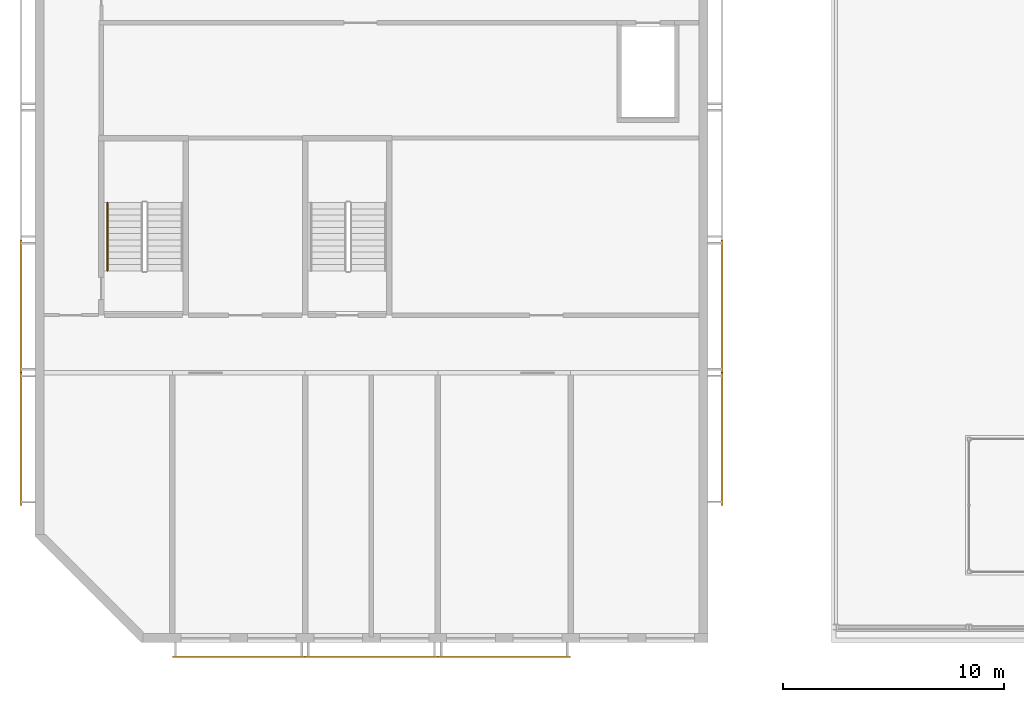
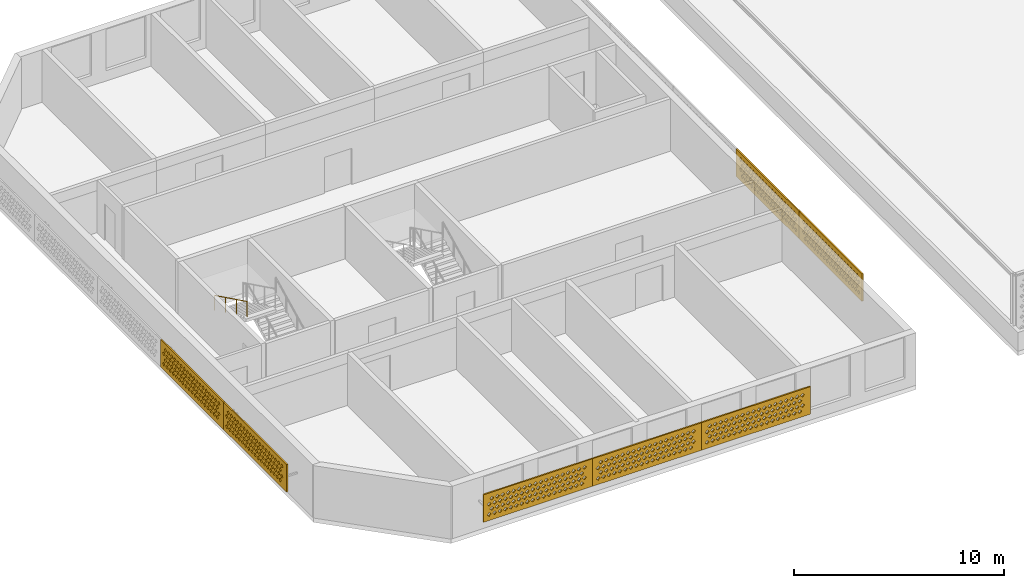
# One storey, part 11 of 18: 7 coverings, 1 railing.
"""IFC4 building model written with IfcOpenShell, lengths in metres."""

import ifcopenshell
import ifcopenshell.guid

model = None  # the IFC model being written
_history = None  # IfcOwnerHistory: only IFC2X3 demands one
_inside = {}  # id of a spatial element -> (the spatial element, [elements in it])
_under = {}  # id of a project, library or spatial element -> (it, [spatial elements below it])
_declared = {}  # id of a project -> (the project, [libraries it declares])
_typed = {}  # id of a type object -> (the type object, [elements of that type])
_made_of = {}  # id of a material, layer set ... -> (it, [elements and type objects made of it])


def new_model(schema):
    """Start an empty IFC model of exactly this schema.

    Asked for "IFC4X3", IfcOpenShell would pick the latest addendum, in which some entities
    have other attributes; the version numbers below select the first issue.
    IFC2X3 requires an IfcOwnerHistory on every rooted entity: one is made here for all.
    """
    global model, _history
    if schema == "IFC4X3":
        model = ifcopenshell.file(schema_version=(4, 3, 0, 0))
    else:
        model = ifcopenshell.file(schema=schema)
    _inside.clear()
    _under.clear()
    _declared.clear()
    _typed.clear()
    _made_of.clear()
    _history = None
    if model.schema == "IFC2X3":
        org = make("IfcOrganization", Name="unknown")
        user = make(
            "IfcPersonAndOrganization",
            ThePerson=make("IfcPerson", FamilyName="unknown"),
            TheOrganization=org,
        )
        app = make(
            "IfcApplication",
            ApplicationDeveloper=org,
            Version="unknown",
            ApplicationFullName="unknown",
            ApplicationIdentifier="unknown",
        )
        _history = make(
            "IfcOwnerHistory",
            OwningUser=user,
            OwningApplication=app,
            ChangeAction="ADDED",
            CreationDate=0,
        )
    return model


def make(cls, **values):
    """One entity of the class cls with the attributes given. An attribute that is None is left unset."""
    return model.create_entity(
        cls, **{name: value for name, value in values.items() if value is not None}
    )


def rooted(cls, **values):
    """An entity with a GlobalId (a new one), such as an element, a storey or a relation."""
    return make(cls, GlobalId=ifcopenshell.guid.new(), OwnerHistory=_history, **values)


def si_unit(unit_type, name, prefix=None):
    """IfcSIUnit, for example si_unit("LENGTHUNIT", "METRE", prefix="MILLI")."""
    return make("IfcSIUnit", UnitType=unit_type, Prefix=prefix, Name=name)


def assignment(units):
    """IfcUnitAssignment: the units of a project."""
    return None if units is None else make("IfcUnitAssignment", Units=units)


def point(xyz):
    """IfcCartesianPoint."""
    return None if xyz is None else make("IfcCartesianPoint", Coordinates=xyz)


def direction(xyz):
    """IfcDirection."""
    return None if xyz is None else make("IfcDirection", DirectionRatios=xyz)


def frame(location, z_axis=None, x_axis=None):
    """IfcAxis2Placement3D, a coordinate frame: its origin and axes. An axis left out is left unset."""
    return make(
        "IfcAxis2Placement3D",
        Location=point(location),
        Axis=direction(z_axis),
        RefDirection=direction(x_axis),
    )


def frame_2d(location, x_axis=None):
    """IfcAxis2Placement2D, a coordinate frame in the plane: its origin and x axis."""
    return make(
        "IfcAxis2Placement2D", Location=point(location), RefDirection=direction(x_axis)
    )


def origin():
    """The frame at (0, 0, 0) with its axes left unset."""
    return frame((0.0, 0.0, 0.0))


def origin_2d():
    """The frame at (0, 0) in the plane with its x axis left unset."""
    return frame_2d((0.0, 0.0))


def place(relative_to, where):
    """IfcLocalPlacement: puts the frame where relative to a parent placement (None: the world)."""
    return make(
        "IfcLocalPlacement", PlacementRelTo=relative_to, RelativePlacement=where
    )


def context(
    kind, dimensions, precision=None, world=None, true_north=None, identifier=None
):
    """IfcGeometricRepresentationContext, for example the 3D "Model" context."""
    return make(
        "IfcGeometricRepresentationContext",
        ContextIdentifier=identifier,
        ContextType=kind,
        CoordinateSpaceDimension=dimensions,
        Precision=precision,
        WorldCoordinateSystem=world,
        TrueNorth=true_north,
    )


def subcontext(parent, identifier, kind, view, scale=None):
    """IfcGeometricRepresentationSubContext, for example "Body" below "Model"."""
    return make(
        "IfcGeometricRepresentationSubContext",
        ContextIdentifier=identifier,
        ContextType=kind,
        ParentContext=parent,
        TargetScale=scale,
        TargetView=view,
    )


def project(units=None, contexts=None):
    """IfcProject with its units and contexts."""
    return rooted(
        "IfcProject",
        Name="project",
        RepresentationContexts=contexts,
        UnitsInContext=assignment(units),
    )


def spatial(cls, under=None, at=None, **own):
    """A site, building, storey or space (cls), placed at a placement, below another one or the project."""
    s = rooted(cls, ObjectPlacement=at, **own)
    if under is not None:
        _under.setdefault(under.id(), (under, []))[1].append(s)
    return s


def polyline(points):
    """IfcPolyline through the points."""
    return make("IfcPolyline", Points=[point(p) for p in points])


def profile(cls, at=None, kind="AREA", **sizes):
    """A parametric profile (cls). Its sizes go by their IFC names, for example OverallWidth=200.0."""
    return make(cls, ProfileType=kind, Position=at, **sizes)


def circle(**sizes):
    """IfcCircleProfileDef."""
    return profile("IfcCircleProfileDef", **sizes)


def outline(outer, holes=None, kind="AREA"):
    """IfcArbitraryClosedProfileDef: a profile drawn as a closed curve; with holes, ...WithVoids."""
    if holes is None:
        return make("IfcArbitraryClosedProfileDef", ProfileType=kind, OuterCurve=outer)
    return make(
        "IfcArbitraryProfileDefWithVoids",
        ProfileType=kind,
        OuterCurve=outer,
        InnerCurves=holes,
    )


def extrude(swept, where, along, depth):
    """IfcExtrudedAreaSolid: the profile swept, set in the frame where, extruded along a direction by depth."""
    return make(
        "IfcExtrudedAreaSolid",
        SweptArea=swept,
        Position=where,
        ExtrudedDirection=direction(along),
        Depth=depth,
    )


def shape(context_of_items, identifier, shape_type, items):
    """IfcShapeRepresentation: the items that make up one representation, for example the "Body"."""
    return make(
        "IfcShapeRepresentation",
        ContextOfItems=context_of_items,
        RepresentationIdentifier=identifier,
        RepresentationType=shape_type,
        Items=items,
    )


def source(mapping_origin, context_of_items, identifier, shape_type, items):
    """IfcRepresentationMap: a shape defined once, which mapped items show again and again."""
    return make(
        "IfcRepresentationMap",
        MappingOrigin=mapping_origin,
        MappedRepresentation=shape(context_of_items, identifier, shape_type, items),
    )


def transform(
    local_origin,
    x_axis=None,
    y_axis=None,
    z_axis=None,
    scale=None,
    scale2=None,
    scale3=None,
    uniform=True,
):
    """IfcCartesianTransformationOperator3D, or its non-uniform kind. x_axis, y_axis, z_axis: its Axis1, 2, 3."""
    if uniform:
        return make(
            "IfcCartesianTransformationOperator3D",
            Axis1=direction(x_axis),
            Axis2=direction(y_axis),
            LocalOrigin=point(local_origin),
            Scale=scale,
            Axis3=direction(z_axis),
        )
    return make(
        "IfcCartesianTransformationOperator3DnonUniform",
        Axis1=direction(x_axis),
        Axis2=direction(y_axis),
        LocalOrigin=point(local_origin),
        Scale=scale,
        Axis3=direction(z_axis),
        Scale2=scale2,
        Scale3=scale3,
    )


def mapped(mapping_source, mapping_target):
    """IfcMappedItem: shows the shape of a source again, moved by a transform."""
    return make(
        "IfcMappedItem", MappingSource=mapping_source, MappingTarget=mapping_target
    )


def material(Name=None, Category=None):
    """IfcMaterial."""
    return make("IfcMaterial", Name=Name, Category=Category)


def material_profile(
    of_material, cross_section, Name=None, Category=None, Priority=None
):
    """IfcMaterialProfile: a cross section and its material."""
    return make(
        "IfcMaterialProfile",
        Name=Name,
        Material=of_material,
        Profile=cross_section,
        Priority=Priority,
        Category=Category,
    )


def profile_set(profiles, Name=None, composite=None):
    """IfcMaterialProfileSet."""
    return make(
        "IfcMaterialProfileSet",
        Name=Name,
        MaterialProfiles=profiles,
        CompositeProfile=composite,
    )


def made_of(thing, what):
    """Note that an element or type object is made of a material, layer set ...; save() writes the relation."""
    if what is not None:
        _made_of.setdefault(what.id(), (what, []))[1].append(thing)
    return thing


def type_object(cls, material=None, **own):
    """A type object (cls), such as IfcWallType, which elements share."""
    return made_of(rooted(cls, **own), material)


def element(
    cls,
    number,
    at=None,
    inside=None,
    cuts=None,
    type_object=None,
    material=None,
    context=None,
    identifier="Body",
    shape_type=None,
    held_by="IfcProductDefinitionShape",
    body=None,
    shapes=None,
    **own,
):
    """One element of the class cls, such as IfcWall. Its Tag is "e" and its number.

    at: its placement. inside: the storey or other place that contains it. cuts: it is an
    opening in that element (IfcRelVoidsElement). A single representation is given by context,
    identifier, shape_type and body (its items); several are given by shapes. held_by: the class
    of the entity that holds the representations. save() writes the other relations.
    """
    e = rooted(cls, Tag="e%d" % number, ObjectPlacement=at, **own)
    if body is not None:
        shapes = [shape(context, identifier, shape_type, body)]
    if shapes is not None:
        e.Representation = make(held_by, Representations=shapes)
    if inside is not None:
        _inside.setdefault(inside.id(), (inside, []))[1].append(e)
    if cuts is not None:
        rooted(
            "IfcRelVoidsElement", RelatingBuildingElement=cuts, RelatedOpeningElement=e
        )
    if type_object is not None:
        _typed.setdefault(type_object.id(), (type_object, []))[1].append(e)
    return made_of(e, material)


def aggregate(whole, parts):
    """IfcRelAggregates: a whole, such as a stair, and the parts it consists of."""
    return rooted("IfcRelAggregates", RelatingObject=whole, RelatedObjects=parts)


def save(model, path):
    """Write the relations noted so far, then the file.

    IfcRelAggregates (storeys below a building ...), IfcRelContainedInSpatialStructure (elements
    in a storey), IfcRelDefinesByType, IfcRelAssociatesMaterial and IfcRelDeclares: one each for
    every whole, place, type object, material and project.
    """
    for whole, parts in _under.values():
        aggregate(whole, parts)
    for where, things in _inside.values():
        rooted(
            "IfcRelContainedInSpatialStructure",
            RelatedElements=things,
            RelatingStructure=where,
        )
    for kind, things in _typed.values():
        rooted("IfcRelDefinesByType", RelatedObjects=things, RelatingType=kind)
    for what, things in _made_of.values():
        rooted("IfcRelAssociatesMaterial", RelatedObjects=things, RelatingMaterial=what)
    for by, libraries in _declared.values():
        rooted("IfcRelDeclares", RelatingContext=by, RelatedDefinitions=libraries)
    model.write(path)


model = new_model("IFC4")

# Units and contexts
model_context = context("Model", 3, precision=1e-05, world=origin(), true_north=direction((0.0, 1.0)))
body_context = subcontext(model_context, "Body", "Model", "MODEL_VIEW")
ifc_project = project(units=[si_unit("LENGTHUNIT", "METRE"), si_unit("AREAUNIT", "SQUARE_METRE"), si_unit("VOLUMEUNIT", "CUBIC_METRE"), si_unit("PLANEANGLEUNIT", "RADIAN"), si_unit("MASSUNIT", "GRAM", prefix="KILO")], contexts=[model_context])

# Site, building, storey
site_placement = place(None, origin())
site = spatial("IfcSite", under=ifc_project, at=site_placement, CompositionType="ELEMENT")
building_placement = place(site_placement, origin())
building = spatial("IfcBuilding", under=site, at=building_placement, Name="Poui Terraces", CompositionType="ELEMENT")
storey_placement = place(building_placement, frame((0.0, 0.0, 285.60009765625)))
storey = spatial("IfcBuildingStorey", under=building, at=storey_placement, Name="L79 CROWN", CompositionType="ELEMENT", Elevation=285.60009765625)

# Railing
ifc_material_1 = material(Name="Stainless steel handrail", Category="steel")
railing_type = type_object("IfcRailingType", Name="STAIR HANDRAIL 900", PredefinedType="HANDRAIL", material=ifc_material_1)
railing_placement = place(storey_placement, frame((21.074951171875, 19.679931640625, 1.787353515625)))
element("IfcRailing", 1, at=railing_placement, inside=storey, type_object=railing_type, Name="L79 CROWN ST-W stair handrail 2", PredefinedType="HANDRAIL", context=body_context, shape_type="SweptSolid", body=[
    extrude(circle(Radius=0.02392578125, at=origin_2d()), frame((0.0, 0.0, 0.8759765625), z_axis=(0.0, -0.897606190399, 0.440798283751), x_axis=(1.0, 0.0, 0.0)), (0.0, 0.0, 1.0), 3.43115234375),
    extrude(circle(Radius=0.02099609375, at=origin_2d()), origin(), (0.0, 0.0, 1.0), 0.851806640625),
    extrude(circle(Radius=0.02099609375, at=origin_2d()), frame((0.0, -1.026611328125, 0.504150390625)), (0.0, 0.0, 1.0), 0.851806640625),
    extrude(circle(Radius=0.02099609375, at=origin_2d()), frame((0.0, -2.05322265625, 1.00830078125)), (0.0, 0.0, 1.0), 0.851806640625),
    extrude(circle(Radius=0.02099609375, at=origin_2d()), frame((0.0, -3.079833984375, 1.512451171875)), (0.0, 0.0, 1.0), 0.851806640625),
])

# Coverings
ifc_material_2 = material(Name="Terracotta screen", Category="masonry")
ifc_material_profile = material_profile(ifc_material_2, outline(polyline([(-3.0, -0.800048828125), (3.0, -0.800048828125), (3.0, 0.800048828125), (-3.0, 0.800048828125), (-3.0, -0.800048828125)]), holes=[polyline([(-2.800048828125, -0.449951171875), (-2.68994140625, -0.56005859375), (-2.580078125, -0.449951171875), (-2.68994140625, -0.340087890625), (-2.800048828125, -0.449951171875)]), polyline([(-2.5, -0.449951171875), (-2.389892578125, -0.56005859375), (-2.280029296875, -0.449951171875), (-2.389892578125, -0.340087890625), (-2.5, -0.449951171875)]), polyline([(-2.199951171875, -0.449951171875), (-2.090087890625, -0.56005859375), (-1.97998046875, -0.449951171875), (-2.090087890625, -0.340087890625), (-2.199951171875, -0.449951171875)]), polyline([(-1.89990234375, -0.449951171875), (-1.7900390625, -0.56005859375), (-1.679931640625, -0.449951171875), (-1.7900390625, -0.340087890625), (-1.89990234375, -0.449951171875)]), polyline([(-1.60009765625, -0.449951171875), (-1.489990234375, -0.56005859375), (-1.3798828125, -0.449951171875), (-1.489990234375, -0.340087890625), (-1.60009765625, -0.449951171875)]), polyline([(-1.300048828125, -0.449951171875), (-1.18994140625, -0.56005859375), (-1.080078125, -0.449951171875), (-1.18994140625, -0.340087890625), (-1.300048828125, -0.449951171875)]), polyline([(-1.0, -0.449951171875), (-0.889892578125, -0.56005859375), (-0.780029296875, -0.449951171875), (-0.889892578125, -0.340087890625), (-1.0, -0.449951171875)]), polyline([(-0.699951171875, -0.449951171875), (-0.590087890625, -0.56005859375), (-0.47998046875, -0.449951171875), (-0.590087890625, -0.340087890625), (-0.699951171875, -0.449951171875)]), polyline([(-0.39990234375, -0.449951171875), (-0.2900390625, -0.56005859375), (-0.179931640625, -0.449951171875), (-0.2900390625, -0.340087890625), (-0.39990234375, -0.449951171875)]), polyline([(-0.10009765625, -0.449951171875), (0.010009765625, -0.56005859375), (0.1201171875, -0.449951171875), (0.010009765625, -0.340087890625), (-0.10009765625, -0.449951171875)]), polyline([(0.199951171875, -0.449951171875), (0.31005859375, -0.56005859375), (0.419921875, -0.449951171875), (0.31005859375, -0.340087890625), (0.199951171875, -0.449951171875)]), polyline([(0.5, -0.449951171875), (0.610107421875, -0.56005859375), (0.719970703125, -0.449951171875), (0.610107421875, -0.340087890625), (0.5, -0.449951171875)]), polyline([(0.800048828125, -0.449951171875), (0.909912109375, -0.56005859375), (1.02001953125, -0.449951171875), (0.909912109375, -0.340087890625), (0.800048828125, -0.449951171875)]), polyline([(1.10009765625, -0.449951171875), (1.2099609375, -0.56005859375), (1.320068359375, -0.449951171875), (1.2099609375, -0.340087890625), (1.10009765625, -0.449951171875)]), polyline([(1.39990234375, -0.449951171875), (1.510009765625, -0.56005859375), (1.6201171875, -0.449951171875), (1.510009765625, -0.340087890625), (1.39990234375, -0.449951171875)]), polyline([(1.699951171875, -0.449951171875), (1.81005859375, -0.56005859375), (1.919921875, -0.449951171875), (1.81005859375, -0.340087890625), (1.699951171875, -0.449951171875)]), polyline([(2.0, -0.449951171875), (2.110107421875, -0.56005859375), (2.219970703125, -0.449951171875), (2.110107421875, -0.340087890625), (2.0, -0.449951171875)]), polyline([(2.300048828125, -0.449951171875), (2.409912109375, -0.56005859375), (2.52001953125, -0.449951171875), (2.409912109375, -0.340087890625), (2.300048828125, -0.449951171875)]), polyline([(-2.64990234375, -0.14990234375), (-2.5400390625, -0.260009765625), (-2.429931640625, -0.14990234375), (-2.5400390625, -0.0400390625), (-2.64990234375, -0.14990234375)]), polyline([(-2.35009765625, -0.14990234375), (-2.239990234375, -0.260009765625), (-2.1298828125, -0.14990234375), (-2.239990234375, -0.0400390625), (-2.35009765625, -0.14990234375)]), polyline([(-2.050048828125, -0.14990234375), (-1.93994140625, -0.260009765625), (-1.830078125, -0.14990234375), (-1.93994140625, -0.0400390625), (-2.050048828125, -0.14990234375)]), polyline([(-1.75, -0.14990234375), (-1.639892578125, -0.260009765625), (-1.530029296875, -0.14990234375), (-1.639892578125, -0.0400390625), (-1.75, -0.14990234375)]), polyline([(-1.449951171875, -0.14990234375), (-1.340087890625, -0.260009765625), (-1.22998046875, -0.14990234375), (-1.340087890625, -0.0400390625), (-1.449951171875, -0.14990234375)]), polyline([(-1.14990234375, -0.14990234375), (-1.0400390625, -0.260009765625), (-0.929931640625, -0.14990234375), (-1.0400390625, -0.0400390625), (-1.14990234375, -0.14990234375)]), polyline([(-0.85009765625, -0.14990234375), (-0.739990234375, -0.260009765625), (-0.6298828125, -0.14990234375), (-0.739990234375, -0.0400390625), (-0.85009765625, -0.14990234375)]), polyline([(-0.550048828125, -0.14990234375), (-0.43994140625, -0.260009765625), (-0.330078125, -0.14990234375), (-0.43994140625, -0.0400390625), (-0.550048828125, -0.14990234375)]), polyline([(-0.25, -0.14990234375), (-0.139892578125, -0.260009765625), (-0.030029296875, -0.14990234375), (-0.139892578125, -0.0400390625), (-0.25, -0.14990234375)]), polyline([(0.050048828125, -0.14990234375), (0.159912109375, -0.260009765625), (0.27001953125, -0.14990234375), (0.159912109375, -0.0400390625), (0.050048828125, -0.14990234375)]), polyline([(0.35009765625, -0.14990234375), (0.4599609375, -0.260009765625), (0.570068359375, -0.14990234375), (0.4599609375, -0.0400390625), (0.35009765625, -0.14990234375)]), polyline([(0.64990234375, -0.14990234375), (0.760009765625, -0.260009765625), (0.8701171875, -0.14990234375), (0.760009765625, -0.0400390625), (0.64990234375, -0.14990234375)]), polyline([(0.949951171875, -0.14990234375), (1.06005859375, -0.260009765625), (1.169921875, -0.14990234375), (1.06005859375, -0.0400390625), (0.949951171875, -0.14990234375)]), polyline([(1.25, -0.14990234375), (1.360107421875, -0.260009765625), (1.469970703125, -0.14990234375), (1.360107421875, -0.0400390625), (1.25, -0.14990234375)]), polyline([(1.550048828125, -0.14990234375), (1.659912109375, -0.260009765625), (1.77001953125, -0.14990234375), (1.659912109375, -0.0400390625), (1.550048828125, -0.14990234375)]), polyline([(1.85009765625, -0.14990234375), (1.9599609375, -0.260009765625), (2.070068359375, -0.14990234375), (1.9599609375, -0.0400390625), (1.85009765625, -0.14990234375)]), polyline([(2.14990234375, -0.14990234375), (2.260009765625, -0.260009765625), (2.3701171875, -0.14990234375), (2.260009765625, -0.0400390625), (2.14990234375, -0.14990234375)]), polyline([(2.449951171875, -0.14990234375), (2.56005859375, -0.260009765625), (2.669921875, -0.14990234375), (2.56005859375, -0.0400390625), (2.449951171875, -0.14990234375)]), polyline([(-2.800048828125, 0.14990234375), (-2.68994140625, 0.0400390625), (-2.580078125, 0.14990234375), (-2.68994140625, 0.260009765625), (-2.800048828125, 0.14990234375)]), polyline([(-2.5, 0.14990234375), (-2.389892578125, 0.0400390625), (-2.280029296875, 0.14990234375), (-2.389892578125, 0.260009765625), (-2.5, 0.14990234375)]), polyline([(-2.199951171875, 0.14990234375), (-2.090087890625, 0.0400390625), (-1.97998046875, 0.14990234375), (-2.090087890625, 0.260009765625), (-2.199951171875, 0.14990234375)]), polyline([(-1.89990234375, 0.14990234375), (-1.7900390625, 0.0400390625), (-1.679931640625, 0.14990234375), (-1.7900390625, 0.260009765625), (-1.89990234375, 0.14990234375)]), polyline([(-1.60009765625, 0.14990234375), (-1.489990234375, 0.0400390625), (-1.3798828125, 0.14990234375), (-1.489990234375, 0.260009765625), (-1.60009765625, 0.14990234375)]), polyline([(-1.300048828125, 0.14990234375), (-1.18994140625, 0.0400390625), (-1.080078125, 0.14990234375), (-1.18994140625, 0.260009765625), (-1.300048828125, 0.14990234375)]), polyline([(-1.0, 0.14990234375), (-0.889892578125, 0.0400390625), (-0.780029296875, 0.14990234375), (-0.889892578125, 0.260009765625), (-1.0, 0.14990234375)]), polyline([(-0.699951171875, 0.14990234375), (-0.590087890625, 0.0400390625), (-0.47998046875, 0.14990234375), (-0.590087890625, 0.260009765625), (-0.699951171875, 0.14990234375)]), polyline([(-0.39990234375, 0.14990234375), (-0.2900390625, 0.0400390625), (-0.179931640625, 0.14990234375), (-0.2900390625, 0.260009765625), (-0.39990234375, 0.14990234375)]), polyline([(-0.10009765625, 0.14990234375), (0.010009765625, 0.0400390625), (0.1201171875, 0.14990234375), (0.010009765625, 0.260009765625), (-0.10009765625, 0.14990234375)]), polyline([(0.199951171875, 0.14990234375), (0.31005859375, 0.0400390625), (0.419921875, 0.14990234375), (0.31005859375, 0.260009765625), (0.199951171875, 0.14990234375)]), polyline([(0.5, 0.14990234375), (0.610107421875, 0.0400390625), (0.719970703125, 0.14990234375), (0.610107421875, 0.260009765625), (0.5, 0.14990234375)]), polyline([(0.800048828125, 0.14990234375), (0.909912109375, 0.0400390625), (1.02001953125, 0.14990234375), (0.909912109375, 0.260009765625), (0.800048828125, 0.14990234375)]), polyline([(1.10009765625, 0.14990234375), (1.2099609375, 0.0400390625), (1.320068359375, 0.14990234375), (1.2099609375, 0.260009765625), (1.10009765625, 0.14990234375)]), polyline([(1.39990234375, 0.14990234375), (1.510009765625, 0.0400390625), (1.6201171875, 0.14990234375), (1.510009765625, 0.260009765625), (1.39990234375, 0.14990234375)]), polyline([(1.699951171875, 0.14990234375), (1.81005859375, 0.0400390625), (1.919921875, 0.14990234375), (1.81005859375, 0.260009765625), (1.699951171875, 0.14990234375)]), polyline([(2.0, 0.14990234375), (2.110107421875, 0.0400390625), (2.219970703125, 0.14990234375), (2.110107421875, 0.260009765625), (2.0, 0.14990234375)]), polyline([(2.300048828125, 0.14990234375), (2.409912109375, 0.0400390625), (2.52001953125, 0.14990234375), (2.409912109375, 0.260009765625), (2.300048828125, 0.14990234375)]), polyline([(-2.64990234375, 0.449951171875), (-2.5400390625, 0.340087890625), (-2.429931640625, 0.449951171875), (-2.5400390625, 0.56005859375), (-2.64990234375, 0.449951171875)]), polyline([(-2.35009765625, 0.449951171875), (-2.239990234375, 0.340087890625), (-2.1298828125, 0.449951171875), (-2.239990234375, 0.56005859375), (-2.35009765625, 0.449951171875)]), polyline([(-2.050048828125, 0.449951171875), (-1.93994140625, 0.340087890625), (-1.830078125, 0.449951171875), (-1.93994140625, 0.56005859375), (-2.050048828125, 0.449951171875)]), polyline([(-1.75, 0.449951171875), (-1.639892578125, 0.340087890625), (-1.530029296875, 0.449951171875), (-1.639892578125, 0.56005859375), (-1.75, 0.449951171875)]), polyline([(-1.449951171875, 0.449951171875), (-1.340087890625, 0.340087890625), (-1.22998046875, 0.449951171875), (-1.340087890625, 0.56005859375), (-1.449951171875, 0.449951171875)]), polyline([(-1.14990234375, 0.449951171875), (-1.0400390625, 0.340087890625), (-0.929931640625, 0.449951171875), (-1.0400390625, 0.56005859375), (-1.14990234375, 0.449951171875)]), polyline([(-0.85009765625, 0.449951171875), (-0.739990234375, 0.340087890625), (-0.6298828125, 0.449951171875), (-0.739990234375, 0.56005859375), (-0.85009765625, 0.449951171875)]), polyline([(-0.550048828125, 0.449951171875), (-0.43994140625, 0.340087890625), (-0.330078125, 0.449951171875), (-0.43994140625, 0.56005859375), (-0.550048828125, 0.449951171875)]), polyline([(-0.25, 0.449951171875), (-0.139892578125, 0.340087890625), (-0.030029296875, 0.449951171875), (-0.139892578125, 0.56005859375), (-0.25, 0.449951171875)]), polyline([(0.050048828125, 0.449951171875), (0.159912109375, 0.340087890625), (0.27001953125, 0.449951171875), (0.159912109375, 0.56005859375), (0.050048828125, 0.449951171875)]), polyline([(0.35009765625, 0.449951171875), (0.4599609375, 0.340087890625), (0.570068359375, 0.449951171875), (0.4599609375, 0.56005859375), (0.35009765625, 0.449951171875)]), polyline([(0.64990234375, 0.449951171875), (0.760009765625, 0.340087890625), (0.8701171875, 0.449951171875), (0.760009765625, 0.56005859375), (0.64990234375, 0.449951171875)]), polyline([(0.949951171875, 0.449951171875), (1.06005859375, 0.340087890625), (1.169921875, 0.449951171875), (1.06005859375, 0.56005859375), (0.949951171875, 0.449951171875)]), polyline([(1.25, 0.449951171875), (1.360107421875, 0.340087890625), (1.469970703125, 0.449951171875), (1.360107421875, 0.56005859375), (1.25, 0.449951171875)]), polyline([(1.550048828125, 0.449951171875), (1.659912109375, 0.340087890625), (1.77001953125, 0.449951171875), (1.659912109375, 0.56005859375), (1.550048828125, 0.449951171875)]), polyline([(1.85009765625, 0.449951171875), (1.9599609375, 0.340087890625), (2.070068359375, 0.449951171875), (1.9599609375, 0.56005859375), (1.85009765625, 0.449951171875)]), polyline([(2.14990234375, 0.449951171875), (2.260009765625, 0.340087890625), (2.3701171875, 0.449951171875), (2.260009765625, 0.56005859375), (2.14990234375, 0.449951171875)]), polyline([(2.449951171875, 0.449951171875), (2.56005859375, 0.340087890625), (2.669921875, 0.449951171875), (2.56005859375, 0.56005859375), (2.449951171875, 0.449951171875)])]), Name="TERRACOTTA SOLAR SCREEN 6000X1600")
ifc_profile_set = profile_set([ifc_material_profile], Name="Terracotta screen")
covering_type = type_object("IfcCoveringType", Name="TERRACOTTA SOLAR SCREEN 6000X1600", PredefinedType="CLADDING", material=ifc_profile_set)
shared_shape = source(origin(), body_context, "Body", "SweptSolid", [
    extrude(outline(polyline([(-3.0, -0.800048828125), (3.0, -0.800048828125), (3.0, 0.800048828125), (-3.0, 0.800048828125), (-3.0, -0.800048828125)]), holes=[polyline([(-2.800048828125, -0.449951171875), (-2.68994140625, -0.56005859375), (-2.580078125, -0.449951171875), (-2.68994140625, -0.340087890625), (-2.800048828125, -0.449951171875)]), polyline([(-2.5, -0.449951171875), (-2.389892578125, -0.56005859375), (-2.280029296875, -0.449951171875), (-2.389892578125, -0.340087890625), (-2.5, -0.449951171875)]), polyline([(-2.199951171875, -0.449951171875), (-2.090087890625, -0.56005859375), (-1.97998046875, -0.449951171875), (-2.090087890625, -0.340087890625), (-2.199951171875, -0.449951171875)]), polyline([(-1.89990234375, -0.449951171875), (-1.7900390625, -0.56005859375), (-1.679931640625, -0.449951171875), (-1.7900390625, -0.340087890625), (-1.89990234375, -0.449951171875)]), polyline([(-1.60009765625, -0.449951171875), (-1.489990234375, -0.56005859375), (-1.3798828125, -0.449951171875), (-1.489990234375, -0.340087890625), (-1.60009765625, -0.449951171875)]), polyline([(-1.300048828125, -0.449951171875), (-1.18994140625, -0.56005859375), (-1.080078125, -0.449951171875), (-1.18994140625, -0.340087890625), (-1.300048828125, -0.449951171875)]), polyline([(-1.0, -0.449951171875), (-0.889892578125, -0.56005859375), (-0.780029296875, -0.449951171875), (-0.889892578125, -0.340087890625), (-1.0, -0.449951171875)]), polyline([(-0.699951171875, -0.449951171875), (-0.590087890625, -0.56005859375), (-0.47998046875, -0.449951171875), (-0.590087890625, -0.340087890625), (-0.699951171875, -0.449951171875)]), polyline([(-0.39990234375, -0.449951171875), (-0.2900390625, -0.56005859375), (-0.179931640625, -0.449951171875), (-0.2900390625, -0.340087890625), (-0.39990234375, -0.449951171875)]), polyline([(-0.10009765625, -0.449951171875), (0.010009765625, -0.56005859375), (0.1201171875, -0.449951171875), (0.010009765625, -0.340087890625), (-0.10009765625, -0.449951171875)]), polyline([(0.199951171875, -0.449951171875), (0.31005859375, -0.56005859375), (0.419921875, -0.449951171875), (0.31005859375, -0.340087890625), (0.199951171875, -0.449951171875)]), polyline([(0.5, -0.449951171875), (0.610107421875, -0.56005859375), (0.719970703125, -0.449951171875), (0.610107421875, -0.340087890625), (0.5, -0.449951171875)]), polyline([(0.800048828125, -0.449951171875), (0.909912109375, -0.56005859375), (1.02001953125, -0.449951171875), (0.909912109375, -0.340087890625), (0.800048828125, -0.449951171875)]), polyline([(1.10009765625, -0.449951171875), (1.2099609375, -0.56005859375), (1.320068359375, -0.449951171875), (1.2099609375, -0.340087890625), (1.10009765625, -0.449951171875)]), polyline([(1.39990234375, -0.449951171875), (1.510009765625, -0.56005859375), (1.6201171875, -0.449951171875), (1.510009765625, -0.340087890625), (1.39990234375, -0.449951171875)]), polyline([(1.699951171875, -0.449951171875), (1.81005859375, -0.56005859375), (1.919921875, -0.449951171875), (1.81005859375, -0.340087890625), (1.699951171875, -0.449951171875)]), polyline([(2.0, -0.449951171875), (2.110107421875, -0.56005859375), (2.219970703125, -0.449951171875), (2.110107421875, -0.340087890625), (2.0, -0.449951171875)]), polyline([(2.300048828125, -0.449951171875), (2.409912109375, -0.56005859375), (2.52001953125, -0.449951171875), (2.409912109375, -0.340087890625), (2.300048828125, -0.449951171875)]), polyline([(-2.64990234375, -0.14990234375), (-2.5400390625, -0.260009765625), (-2.429931640625, -0.14990234375), (-2.5400390625, -0.0400390625), (-2.64990234375, -0.14990234375)]), polyline([(-2.35009765625, -0.14990234375), (-2.239990234375, -0.260009765625), (-2.1298828125, -0.14990234375), (-2.239990234375, -0.0400390625), (-2.35009765625, -0.14990234375)]), polyline([(-2.050048828125, -0.14990234375), (-1.93994140625, -0.260009765625), (-1.830078125, -0.14990234375), (-1.93994140625, -0.0400390625), (-2.050048828125, -0.14990234375)]), polyline([(-1.75, -0.14990234375), (-1.639892578125, -0.260009765625), (-1.530029296875, -0.14990234375), (-1.639892578125, -0.0400390625), (-1.75, -0.14990234375)]), polyline([(-1.449951171875, -0.14990234375), (-1.340087890625, -0.260009765625), (-1.22998046875, -0.14990234375), (-1.340087890625, -0.0400390625), (-1.449951171875, -0.14990234375)]), polyline([(-1.14990234375, -0.14990234375), (-1.0400390625, -0.260009765625), (-0.929931640625, -0.14990234375), (-1.0400390625, -0.0400390625), (-1.14990234375, -0.14990234375)]), polyline([(-0.85009765625, -0.14990234375), (-0.739990234375, -0.260009765625), (-0.6298828125, -0.14990234375), (-0.739990234375, -0.0400390625), (-0.85009765625, -0.14990234375)]), polyline([(-0.550048828125, -0.14990234375), (-0.43994140625, -0.260009765625), (-0.330078125, -0.14990234375), (-0.43994140625, -0.0400390625), (-0.550048828125, -0.14990234375)]), polyline([(-0.25, -0.14990234375), (-0.139892578125, -0.260009765625), (-0.030029296875, -0.14990234375), (-0.139892578125, -0.0400390625), (-0.25, -0.14990234375)]), polyline([(0.050048828125, -0.14990234375), (0.159912109375, -0.260009765625), (0.27001953125, -0.14990234375), (0.159912109375, -0.0400390625), (0.050048828125, -0.14990234375)]), polyline([(0.35009765625, -0.14990234375), (0.4599609375, -0.260009765625), (0.570068359375, -0.14990234375), (0.4599609375, -0.0400390625), (0.35009765625, -0.14990234375)]), polyline([(0.64990234375, -0.14990234375), (0.760009765625, -0.260009765625), (0.8701171875, -0.14990234375), (0.760009765625, -0.0400390625), (0.64990234375, -0.14990234375)]), polyline([(0.949951171875, -0.14990234375), (1.06005859375, -0.260009765625), (1.169921875, -0.14990234375), (1.06005859375, -0.0400390625), (0.949951171875, -0.14990234375)]), polyline([(1.25, -0.14990234375), (1.360107421875, -0.260009765625), (1.469970703125, -0.14990234375), (1.360107421875, -0.0400390625), (1.25, -0.14990234375)]), polyline([(1.550048828125, -0.14990234375), (1.659912109375, -0.260009765625), (1.77001953125, -0.14990234375), (1.659912109375, -0.0400390625), (1.550048828125, -0.14990234375)]), polyline([(1.85009765625, -0.14990234375), (1.9599609375, -0.260009765625), (2.070068359375, -0.14990234375), (1.9599609375, -0.0400390625), (1.85009765625, -0.14990234375)]), polyline([(2.14990234375, -0.14990234375), (2.260009765625, -0.260009765625), (2.3701171875, -0.14990234375), (2.260009765625, -0.0400390625), (2.14990234375, -0.14990234375)]), polyline([(2.449951171875, -0.14990234375), (2.56005859375, -0.260009765625), (2.669921875, -0.14990234375), (2.56005859375, -0.0400390625), (2.449951171875, -0.14990234375)]), polyline([(-2.800048828125, 0.14990234375), (-2.68994140625, 0.0400390625), (-2.580078125, 0.14990234375), (-2.68994140625, 0.260009765625), (-2.800048828125, 0.14990234375)]), polyline([(-2.5, 0.14990234375), (-2.389892578125, 0.0400390625), (-2.280029296875, 0.14990234375), (-2.389892578125, 0.260009765625), (-2.5, 0.14990234375)]), polyline([(-2.199951171875, 0.14990234375), (-2.090087890625, 0.0400390625), (-1.97998046875, 0.14990234375), (-2.090087890625, 0.260009765625), (-2.199951171875, 0.14990234375)]), polyline([(-1.89990234375, 0.14990234375), (-1.7900390625, 0.0400390625), (-1.679931640625, 0.14990234375), (-1.7900390625, 0.260009765625), (-1.89990234375, 0.14990234375)]), polyline([(-1.60009765625, 0.14990234375), (-1.489990234375, 0.0400390625), (-1.3798828125, 0.14990234375), (-1.489990234375, 0.260009765625), (-1.60009765625, 0.14990234375)]), polyline([(-1.300048828125, 0.14990234375), (-1.18994140625, 0.0400390625), (-1.080078125, 0.14990234375), (-1.18994140625, 0.260009765625), (-1.300048828125, 0.14990234375)]), polyline([(-1.0, 0.14990234375), (-0.889892578125, 0.0400390625), (-0.780029296875, 0.14990234375), (-0.889892578125, 0.260009765625), (-1.0, 0.14990234375)]), polyline([(-0.699951171875, 0.14990234375), (-0.590087890625, 0.0400390625), (-0.47998046875, 0.14990234375), (-0.590087890625, 0.260009765625), (-0.699951171875, 0.14990234375)]), polyline([(-0.39990234375, 0.14990234375), (-0.2900390625, 0.0400390625), (-0.179931640625, 0.14990234375), (-0.2900390625, 0.260009765625), (-0.39990234375, 0.14990234375)]), polyline([(-0.10009765625, 0.14990234375), (0.010009765625, 0.0400390625), (0.1201171875, 0.14990234375), (0.010009765625, 0.260009765625), (-0.10009765625, 0.14990234375)]), polyline([(0.199951171875, 0.14990234375), (0.31005859375, 0.0400390625), (0.419921875, 0.14990234375), (0.31005859375, 0.260009765625), (0.199951171875, 0.14990234375)]), polyline([(0.5, 0.14990234375), (0.610107421875, 0.0400390625), (0.719970703125, 0.14990234375), (0.610107421875, 0.260009765625), (0.5, 0.14990234375)]), polyline([(0.800048828125, 0.14990234375), (0.909912109375, 0.0400390625), (1.02001953125, 0.14990234375), (0.909912109375, 0.260009765625), (0.800048828125, 0.14990234375)]), polyline([(1.10009765625, 0.14990234375), (1.2099609375, 0.0400390625), (1.320068359375, 0.14990234375), (1.2099609375, 0.260009765625), (1.10009765625, 0.14990234375)]), polyline([(1.39990234375, 0.14990234375), (1.510009765625, 0.0400390625), (1.6201171875, 0.14990234375), (1.510009765625, 0.260009765625), (1.39990234375, 0.14990234375)]), polyline([(1.699951171875, 0.14990234375), (1.81005859375, 0.0400390625), (1.919921875, 0.14990234375), (1.81005859375, 0.260009765625), (1.699951171875, 0.14990234375)]), polyline([(2.0, 0.14990234375), (2.110107421875, 0.0400390625), (2.219970703125, 0.14990234375), (2.110107421875, 0.260009765625), (2.0, 0.14990234375)]), polyline([(2.300048828125, 0.14990234375), (2.409912109375, 0.0400390625), (2.52001953125, 0.14990234375), (2.409912109375, 0.260009765625), (2.300048828125, 0.14990234375)]), polyline([(-2.64990234375, 0.449951171875), (-2.5400390625, 0.340087890625), (-2.429931640625, 0.449951171875), (-2.5400390625, 0.56005859375), (-2.64990234375, 0.449951171875)]), polyline([(-2.35009765625, 0.449951171875), (-2.239990234375, 0.340087890625), (-2.1298828125, 0.449951171875), (-2.239990234375, 0.56005859375), (-2.35009765625, 0.449951171875)]), polyline([(-2.050048828125, 0.449951171875), (-1.93994140625, 0.340087890625), (-1.830078125, 0.449951171875), (-1.93994140625, 0.56005859375), (-2.050048828125, 0.449951171875)]), polyline([(-1.75, 0.449951171875), (-1.639892578125, 0.340087890625), (-1.530029296875, 0.449951171875), (-1.639892578125, 0.56005859375), (-1.75, 0.449951171875)]), polyline([(-1.449951171875, 0.449951171875), (-1.340087890625, 0.340087890625), (-1.22998046875, 0.449951171875), (-1.340087890625, 0.56005859375), (-1.449951171875, 0.449951171875)]), polyline([(-1.14990234375, 0.449951171875), (-1.0400390625, 0.340087890625), (-0.929931640625, 0.449951171875), (-1.0400390625, 0.56005859375), (-1.14990234375, 0.449951171875)]), polyline([(-0.85009765625, 0.449951171875), (-0.739990234375, 0.340087890625), (-0.6298828125, 0.449951171875), (-0.739990234375, 0.56005859375), (-0.85009765625, 0.449951171875)]), polyline([(-0.550048828125, 0.449951171875), (-0.43994140625, 0.340087890625), (-0.330078125, 0.449951171875), (-0.43994140625, 0.56005859375), (-0.550048828125, 0.449951171875)]), polyline([(-0.25, 0.449951171875), (-0.139892578125, 0.340087890625), (-0.030029296875, 0.449951171875), (-0.139892578125, 0.56005859375), (-0.25, 0.449951171875)]), polyline([(0.050048828125, 0.449951171875), (0.159912109375, 0.340087890625), (0.27001953125, 0.449951171875), (0.159912109375, 0.56005859375), (0.050048828125, 0.449951171875)]), polyline([(0.35009765625, 0.449951171875), (0.4599609375, 0.340087890625), (0.570068359375, 0.449951171875), (0.4599609375, 0.56005859375), (0.35009765625, 0.449951171875)]), polyline([(0.64990234375, 0.449951171875), (0.760009765625, 0.340087890625), (0.8701171875, 0.449951171875), (0.760009765625, 0.56005859375), (0.64990234375, 0.449951171875)]), polyline([(0.949951171875, 0.449951171875), (1.06005859375, 0.340087890625), (1.169921875, 0.449951171875), (1.06005859375, 0.56005859375), (0.949951171875, 0.449951171875)]), polyline([(1.25, 0.449951171875), (1.360107421875, 0.340087890625), (1.469970703125, 0.449951171875), (1.360107421875, 0.56005859375), (1.25, 0.449951171875)]), polyline([(1.550048828125, 0.449951171875), (1.659912109375, 0.340087890625), (1.77001953125, 0.449951171875), (1.659912109375, 0.56005859375), (1.550048828125, 0.449951171875)]), polyline([(1.85009765625, 0.449951171875), (1.9599609375, 0.340087890625), (2.070068359375, 0.449951171875), (1.9599609375, 0.56005859375), (1.85009765625, 0.449951171875)]), polyline([(2.14990234375, 0.449951171875), (2.260009765625, 0.340087890625), (2.3701171875, 0.449951171875), (2.260009765625, 0.56005859375), (2.14990234375, 0.449951171875)]), polyline([(2.449951171875, 0.449951171875), (2.56005859375, 0.340087890625), (2.669921875, 0.449951171875), (2.56005859375, 0.56005859375), (2.449951171875, 0.449951171875)])]), origin(), (0.0, 0.0, 1.0), 0.079833984375),
])
for number, where, z_axis, x_axis, name in (
    (2, (27.0, -0.800048828125, 1.699951171875), (0.0, -1.0, 0.0), (1.0, 0.0, 0.0), "SOLAR SCREEN"),
    (3, (33.0, -0.800048828125, 1.699951171875), (0.0, -1.0, 0.0), (1.0, 0.0, 0.0), "SOLAR SCREEN"),
    (4, (39.0, -0.800048828125, 1.699951171875), (0.0, -1.0, 0.0), (1.0, 0.0, 0.0), "SOLAR SCREEN"),
    (5, (48.800048828125, 9.0, 1.699951171875), (1.0, 0.0, 0.0), (0.0, 1.0, 0.0), "SOLAR SCREEN"),
    (6, (48.800048828125, 15.0, 1.699951171875), (1.0, 0.0, 0.0), (0.0, 1.0, 0.0), "SOLAR SCREEN"),
    (7, (17.199951171875, 9.0, 1.699951171875), (-1.0, 0.0, 0.0), (0.0, -1.0, 0.0), "SOLAR SCREEN"),
    (8, (17.199951171875, 15.0, 1.699951171875), (-1.0, 0.0, 0.0), (0.0, -1.0, 0.0), "SOLAR SCREEN"),
):
    element("IfcCovering", number, at=place(storey_placement, frame(where, z_axis=z_axis, x_axis=x_axis)), inside=storey, type_object=covering_type, Name=name, PredefinedType="CLADDING", context=body_context, shape_type="MappedRepresentation", body=[
        mapped(shared_shape, transform((0.0, 0.0, 0.0))),
    ])

save(model, "model.ifc")
